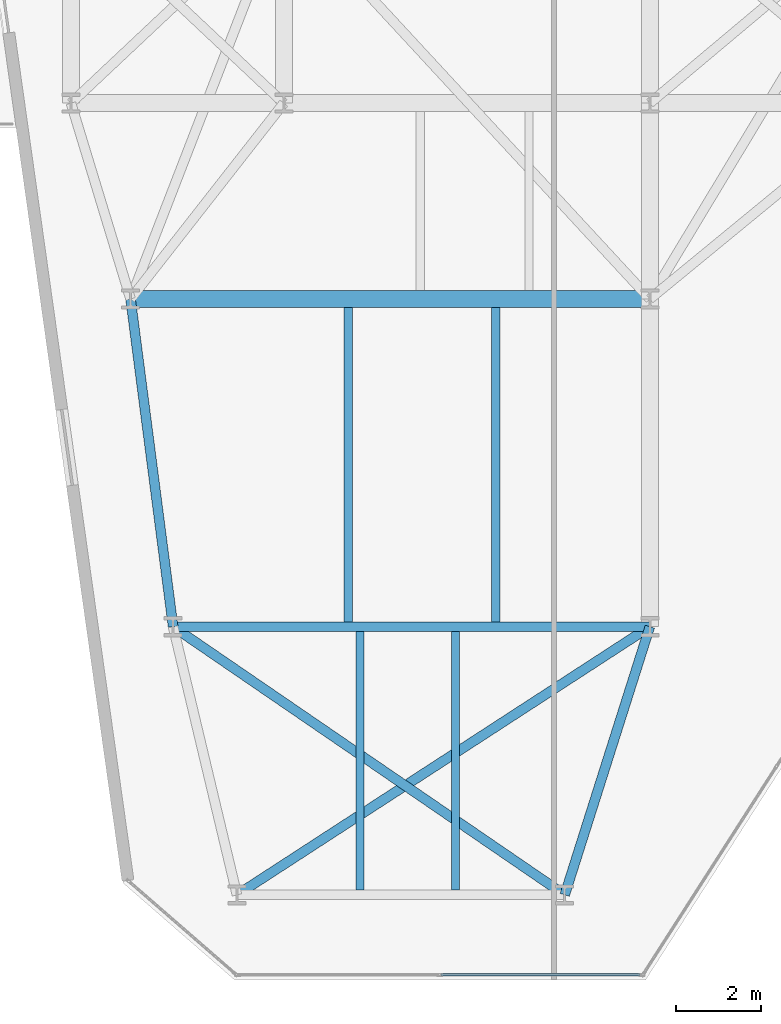
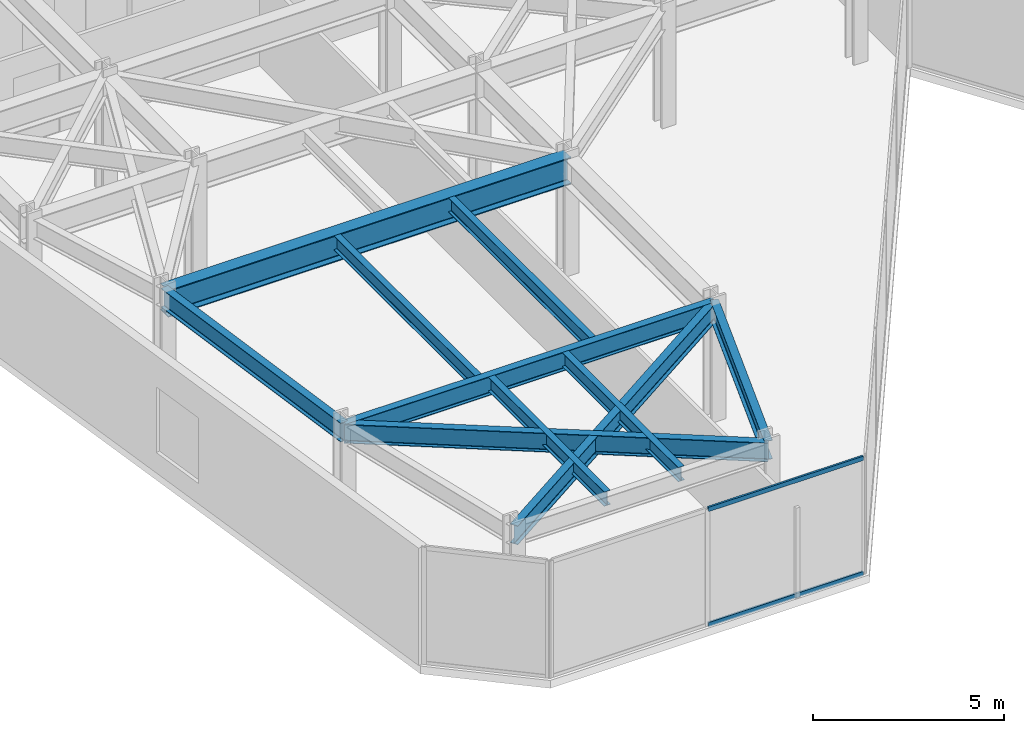
# One storey, part 3 of 20: 10 beams, 2 members, 1 element without a shape of its own.
"""IFC4 building model written with IfcOpenShell, lengths in metres."""

from ifc_helpers import new_model, si_unit, direction, frame, origin, origin_2d, place, context, subcontext, project, spatial, hollow_rectangle, i_section, extrude, material, layer, layer_set, material_profile, profile_set, type_object, element, aggregate, save


model = new_model("IFC4")

# Units and contexts
model_context = context("Model", 3, precision=1e-05, world=origin(), true_north=direction((0.0, 1.0)))
body_context = subcontext(model_context, "Body", "Model", "MODEL_VIEW")
ifc_project = project(units=[si_unit("LENGTHUNIT", "METRE"), si_unit("AREAUNIT", "SQUARE_METRE"), si_unit("VOLUMEUNIT", "CUBIC_METRE"), si_unit("PLANEANGLEUNIT", "RADIAN"), si_unit("MASSUNIT", "GRAM", prefix="KILO")], contexts=[model_context])

# Site, building, storey
site_placement = place(None, origin())
site = spatial("IfcSite", under=ifc_project, at=site_placement, CompositionType="ELEMENT")
building_placement = place(site_placement, origin())
building = spatial("IfcBuilding", under=site, at=building_placement, Name="Kravanh Interchange Tower", CompositionType="ELEMENT")
storey_placement = place(building_placement, frame((0.0, 0.0, 104.0)))
storey = spatial("IfcBuildingStorey", under=building, at=storey_placement, Name="L24", CompositionType="ELEMENT", Elevation=104.0)

# Curtain wall, members
ifc_material_1 = material(Name="Anodised Bronze Aluminium", Category="aluminium")
ifc_layer = layer(ifc_material_1, 0.179931640625)
ifc_layer_set = layer_set([ifc_layer], Name="Unitised Curtain Wall System CW-Z2 Mid Office")
curtain_wall_type = type_object("IfcCurtainWallType", Name="Unitised Curtain Wall System CW-Z2 Mid Office", PredefinedType="NOTDEFINED", material=ifc_layer_set)
curtain_wall_placement = place(storey_placement, origin())
curtain_wall = element("IfcCurtainWall", 1, at=curtain_wall_placement, inside=storey, type_object=curtain_wall_type, Name="L24 Unitised Curtain Wall CW-L24-05", PredefinedType="NOTDEFINED")
ifc_material_2 = material(Name="Anodised Bronze Aluminium", Category="aluminium")
ifc_material_profile_1 = material_profile(ifc_material_2, hollow_rectangle(XDim=0.06005859375, YDim=0.139892578125, WallThickness=0.00390625, at=origin_2d()), Name="ALU60X140X4")
ifc_profile_set_1 = profile_set([ifc_material_profile_1], Name="Anodised Bronze Aluminium")
member_type = type_object("IfcMemberType", Name="Curtain Wall Transom ALU60X140X4 Bronze", PredefinedType="USERDEFINED", material=ifc_profile_set_1)
member_1_placement = place(storey_placement, frame((26.974365234375, 6.320068359375, 0.030029296875), z_axis=(-1.0, 0.0, 0.0), x_axis=(0.0, -1.0, 0.0)))
member_1 = element("IfcMember", 2, at=member_1_placement, type_object=member_type, Name="CW-Z2 transom 1.1", ObjectType="TRANSOM", PredefinedType="USERDEFINED", context=body_context, shape_type="SweptSolid", body=[
    extrude(hollow_rectangle(XDim=0.06005859375, YDim=0.139892578125, WallThickness=0.00390625, at=origin_2d()), origin(), (0.0, 0.0, 1.0), 4.682373046875),
])
member_2_placement = place(storey_placement, frame((26.974365234375, 6.320068359375, 3.719970703125), z_axis=(-1.0, 0.0, 0.0), x_axis=(0.0, -1.0, 0.0)))
member_2 = element("IfcMember", 3, at=member_2_placement, type_object=member_type, Name="CW-Z2 transom 1.2", ObjectType="TRANSOM", PredefinedType="USERDEFINED", context=body_context, shape_type="SweptSolid", body=[
    extrude(hollow_rectangle(XDim=0.06005859375, YDim=0.139892578125, WallThickness=0.00390625, at=origin_2d()), origin(), (0.0, 0.0, 1.0), 4.682373046875),
])
aggregate(curtain_wall, [member_1, member_2])

# Beams
ifc_material_3 = material(Name="Structural Steel S355", Category="steel")
ifc_material_profile_2 = material_profile(ifc_material_3, i_section(OverallWidth=0.39990234375, OverallDepth=0.85595703125, WebThickness=0.018310546875, FlangeThickness=0.029296875, FilletRadius=0.02490234375, at=origin_2d()), Name="W33X201")
ifc_profile_set_2 = profile_set([ifc_material_profile_2], Name="Structural Steel S355")
beam_type_1 = type_object("IfcBeamType", Name="Floor Beam W33X201 Structural Steel S355", PredefinedType="BEAM", material=ifc_profile_set_2)
beam_1_placement = place(storey_placement, frame((15.0, 22.199951171875, 3.322021484375), z_axis=(1.0, 0.0, 0.0), x_axis=(0.0, 1.0, 0.0)))
element("IfcBeam", 4, at=beam_1_placement, inside=storey, type_object=beam_type_1, Name="L24 Primary Floor Girder 108", PredefinedType="BEAM", context=body_context, shape_type="SweptSolid", body=[
    extrude(i_section(OverallWidth=0.39990234375, OverallDepth=0.85595703125, WebThickness=0.018310546875, FlangeThickness=0.029296875, FilletRadius=0.02490234375, at=origin_2d()), origin(), (0.0, 0.0, 1.0), 12.199951171875),
])
ifc_material_4 = material(Name="Structural Steel S355", Category="steel")
ifc_material_profile_3 = material_profile(ifc_material_4, i_section(OverallWidth=0.18994140625, OverallDepth=0.45703125, WebThickness=0.009033203125, FlangeThickness=0.014404296875, FilletRadius=0.01806640625, at=origin_2d()), Name="W18X50")
ifc_profile_set_3 = profile_set([ifc_material_profile_3], Name="Structural Steel S355")
beam_type_2 = type_object("IfcBeamType", Name="Floor Joist W18X50 Structural Steel S355", PredefinedType="JOIST", material=ifc_profile_set_3)
for number, where, z_axis, x_axis, name in (
    (5, (20.389892578125, 8.30908203125, 3.521484375), (0.0, 1.0, 0.0), (-1.0, 0.0, 0.0), "L24 Secondary Floor Joist 1"),
    (6, (22.6298828125, 8.30908203125, 3.521484375), (0.0, 1.0, 0.0), (-1.0, 0.0, 0.0), "L24 Secondary Floor Joist 2"),
):
    element("IfcBeam", number, at=place(storey_placement, frame(where, z_axis=z_axis, x_axis=x_axis)), inside=storey, type_object=beam_type_2, Name=name, PredefinedType="JOIST", context=body_context, shape_type="SweptSolid", body=[
        extrude(i_section(OverallWidth=0.18994140625, OverallDepth=0.45703125, WebThickness=0.009033203125, FlangeThickness=0.014404296875, FilletRadius=0.01806640625, at=origin_2d()), origin(), (0.0, 0.0, 1.0), 6.08203125),
    ])
for number, where, z_axis, x_axis, name in (
    (7, (20.114990234375, 14.60888671875, 3.521484375), (0.0, 1.0, 0.0), (-1.0, 0.0, 0.0), "L24 Secondary Floor Joist 5"),
    (8, (23.580078125, 14.60888671875, 3.521484375), (0.0, 1.0, 0.0), (-1.0, 0.0, 0.0), "L24 Secondary Floor Joist 6"),
):
    element("IfcBeam", number, at=place(storey_placement, frame(where, z_axis=z_axis, x_axis=x_axis)), inside=storey, type_object=beam_type_2, Name=name, PredefinedType="JOIST", context=body_context, shape_type="SweptSolid", body=[
        extrude(i_section(OverallWidth=0.18994140625, OverallDepth=0.45703125, WebThickness=0.009033203125, FlangeThickness=0.014404296875, FilletRadius=0.01806640625, at=origin_2d()), origin(), (0.0, 0.0, 1.0), 7.39599609375),
    ])
ifc_material_5 = material(Name="Structural Steel S355", Category="steel")
ifc_material_profile_4 = material_profile(ifc_material_5, i_section(OverallWidth=0.22802734375, OverallDepth=0.60791015625, WebThickness=0.01123046875, FlangeThickness=0.017333984375, FilletRadius=0.02197265625, at=origin_2d()), Name="W24X76")
ifc_profile_set_4 = profile_set([ifc_material_profile_4], Name="Structural Steel S355")
beam_type_3 = type_object("IfcBeamType", Name="Floor Spandrel W24X76 Structural Steel S355", PredefinedType="SPANDREL", material=ifc_profile_set_4)
beam_2_placement = place(storey_placement, frame((17.5, 8.199951171875, 3.446044921875), z_axis=(0.838637911458, 0.544689318295, 0.0), x_axis=(-0.544689318295, 0.838637911458, 0.0)))
element("IfcBeam", 9, at=beam_2_placement, inside=storey, type_object=beam_type_3, Name="L24 Perimeter Spandrel 36", PredefinedType="SPANDREL", context=body_context, shape_type="SweptSolid", body=[
    extrude(i_section(OverallWidth=0.22802734375, OverallDepth=0.60791015625, WebThickness=0.01123046875, FlangeThickness=0.017333984375, FilletRadius=0.02197265625, at=origin_2d()), origin(), (0.0, 0.0, 1.0), 11.56640625),
])
beam_3_placement = place(storey_placement, frame((25.199951171875, 8.199951171875, 3.446044921875), z_axis=(0.30257700201, 0.953124943465, 0.0), x_axis=(-0.953124943465, 0.30257700201, 0.0)))
element("IfcBeam", 10, at=beam_3_placement, inside=storey, type_object=beam_type_3, Name="L24 Perimeter Spandrel 76", PredefinedType="SPANDREL", context=body_context, shape_type="SweptSolid", body=[
    extrude(i_section(OverallWidth=0.22802734375, OverallDepth=0.60791015625, WebThickness=0.01123046875, FlangeThickness=0.017333984375, FilletRadius=0.02197265625, at=origin_2d()), origin(), (0.0, 0.0, 1.0), 6.60986328125),
])
beam_4_placement = place(storey_placement, frame((25.199951171875, 8.199951171875, 3.446044921875), z_axis=(-0.825083781107, 0.565010401811, 0.0), x_axis=(-0.565010401811, -0.825083781107, 0.0)))
element("IfcBeam", 11, at=beam_4_placement, inside=storey, type_object=beam_type_3, Name="L24 Perimeter Spandrel 77", PredefinedType="SPANDREL", context=body_context, shape_type="SweptSolid", body=[
    extrude(i_section(OverallWidth=0.22802734375, OverallDepth=0.60791015625, WebThickness=0.01123046875, FlangeThickness=0.017333984375, FilletRadius=0.02197265625, at=origin_2d()), origin(), (0.0, 0.0, 1.0), 11.150390625),
])
beam_5_placement = place(storey_placement, frame((16.0, 14.5, 3.446044921875), z_axis=(-0.128789384125, 0.99167196922, 0.0), x_axis=(-0.99167196922, -0.128789384125, 0.0)))
element("IfcBeam", 12, at=beam_5_placement, inside=storey, type_object=beam_type_3, Name="L24 Perimeter Spandrel 100", PredefinedType="SPANDREL", context=body_context, shape_type="SweptSolid", body=[
    extrude(i_section(OverallWidth=0.22802734375, OverallDepth=0.60791015625, WebThickness=0.01123046875, FlangeThickness=0.017333984375, FilletRadius=0.02197265625, at=origin_2d()), origin(), (0.0, 0.0, 1.0), 7.7646484375),
])
beam_6_placement = place(storey_placement, frame((16.0, 14.5, 3.446044921875), z_axis=(1.0, 0.0, 0.0), x_axis=(0.0, 1.0, 0.0)))
element("IfcBeam", 13, at=beam_6_placement, inside=storey, type_object=beam_type_3, Name="L24 Perimeter Spandrel 101", PredefinedType="SPANDREL", context=body_context, shape_type="SweptSolid", body=[
    extrude(i_section(OverallWidth=0.22802734375, OverallDepth=0.60791015625, WebThickness=0.01123046875, FlangeThickness=0.017333984375, FilletRadius=0.02197265625, at=origin_2d()), origin(), (0.0, 0.0, 1.0), 11.199951171875),
])

save(model, "model.ifc")
